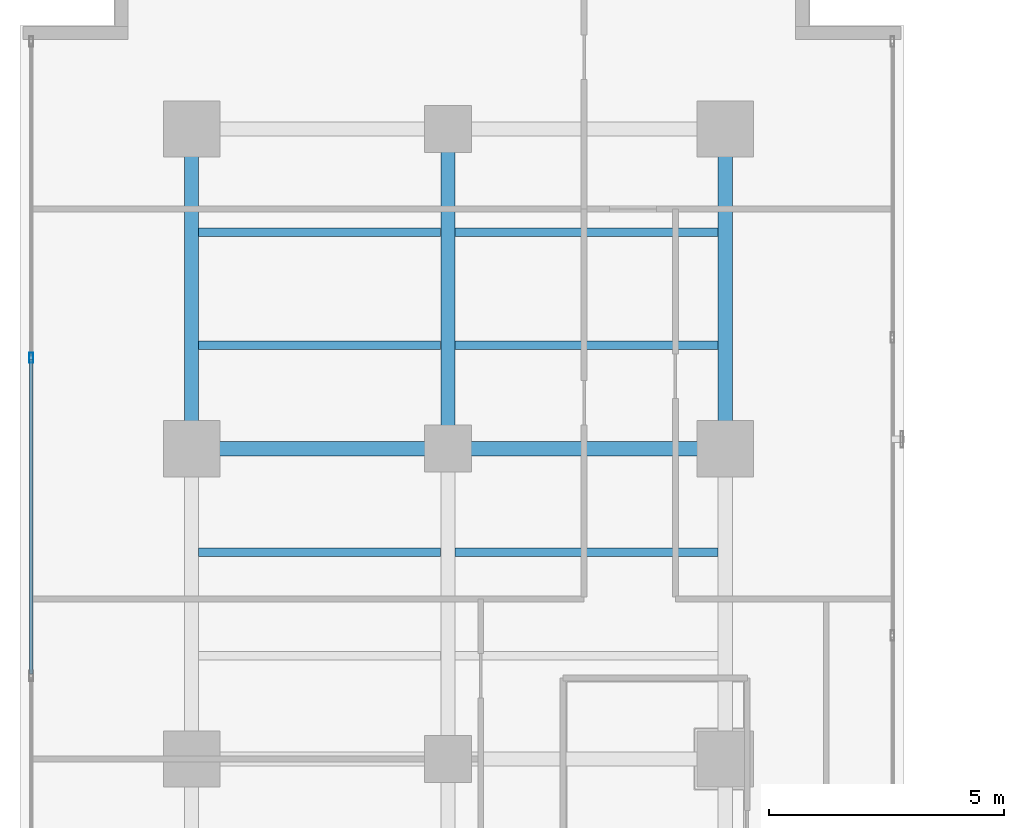
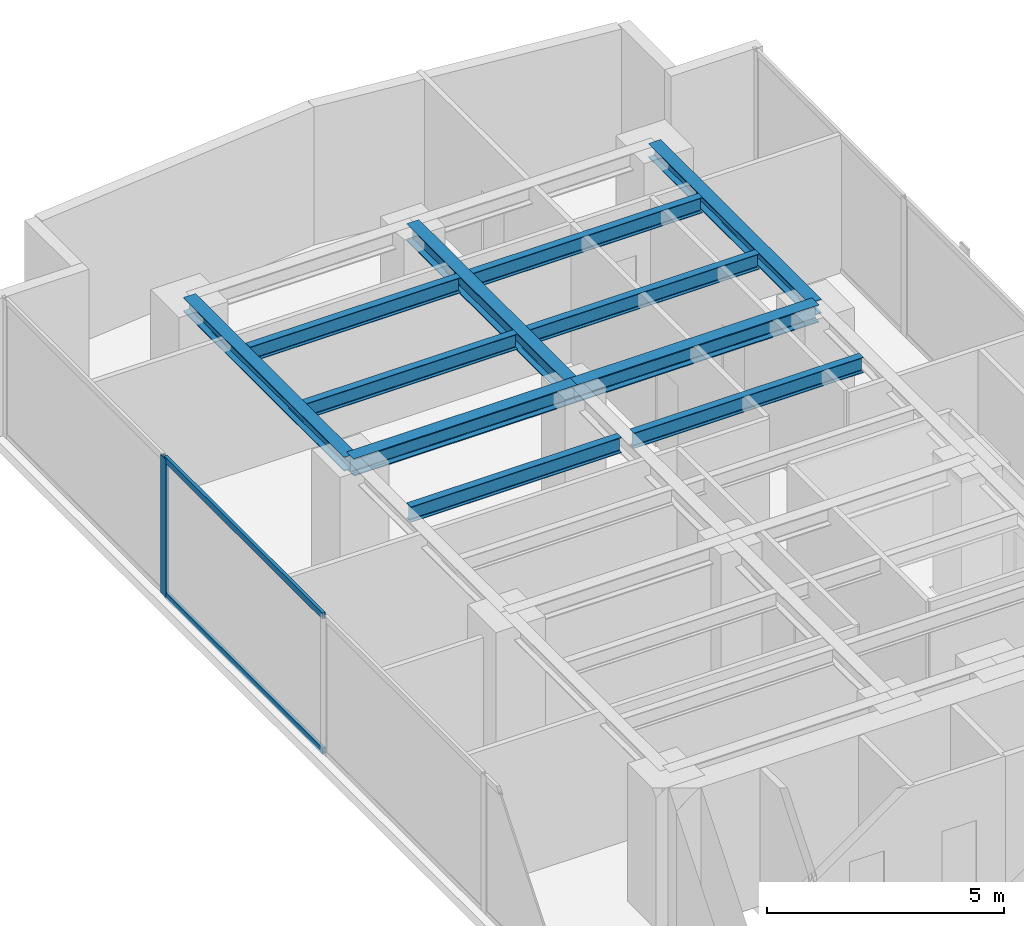
# One storey, part 16 of 27: 11 beams, 3 members, 1 element without a shape of its own.
"""IFC4 building model written with IfcOpenShell, lengths in metres."""

from ifc_helpers import new_model, si_unit, direction, frame, origin, origin_with_axes, origin_2d, place, context, subcontext, project, spatial, hollow_rectangle, i_section, extrude, source, transform, mapped, material, layer, layer_set, material_profile, profile_set, type_object, element, aggregate, save


model = new_model("IFC4")

# Units and contexts
model_context = context("Model", 3, precision=1e-05, world=origin(), true_north=direction((0.0, 1.0)))
body_context = subcontext(model_context, "Body", "Model", "MODEL_VIEW")
ifc_project = project(units=[si_unit("LENGTHUNIT", "METRE"), si_unit("AREAUNIT", "SQUARE_METRE"), si_unit("VOLUMEUNIT", "CUBIC_METRE"), si_unit("PLANEANGLEUNIT", "RADIAN"), si_unit("MASSUNIT", "GRAM", prefix="KILO")], contexts=[model_context])

# Site, building, storey
site_placement = place(None, origin())
site = spatial("IfcSite", under=ifc_project, at=site_placement, CompositionType="ELEMENT")
building_placement = place(site_placement, origin())
building = spatial("IfcBuilding", under=site, at=building_placement, Name="Kolvaren Waterfront Exchange", CompositionType="ELEMENT")
storey_placement = place(building_placement, frame((0.0, 0.0, 161.39990234375)))
storey = spatial("IfcBuildingStorey", under=building, at=storey_placement, Name="L41", CompositionType="ELEMENT", Elevation=161.39990234375)

# Beams
ifc_material_1 = material(Name="Steel S355", Category="steel")
ifc_material_profile_1 = material_profile(ifc_material_1, i_section(OverallWidth=0.300048828125, OverallDepth=0.360107421875, WebThickness=0.012451171875, FlangeThickness=0.0224609375, FilletRadius=0.027099609375, at=origin_2d()), Name="HEB360")
ifc_profile_set_1 = profile_set([ifc_material_profile_1], Name="Steel S355")
beam_type_1 = type_object("IfcBeamType", Name="STR-BM-HEB360", PredefinedType="SPANDREL", material=ifc_profile_set_1)
for number, where, z_axis, x_axis, name in (
    (1, (7.449951171875, 37.800048828125, 3.380126953125), (0.0, 1.0, 0.0), (-1.0, 0.0, 0.0), "L41 north-arm edge beam 3"),
    (2, (18.800048828125, 37.800048828125, 3.380126953125), (0.0, 1.0, 0.0), (-1.0, 0.0, 0.0), "L41 north-arm edge beam 3"),
):
    element("IfcBeam", number, at=place(storey_placement, frame(where, z_axis=z_axis, x_axis=x_axis)), inside=storey, type_object=beam_type_1, Name=name, PredefinedType="SPANDREL", context=body_context, shape_type="SweptSolid", body=[
        extrude(i_section(OverallWidth=0.300048828125, OverallDepth=0.360107421875, WebThickness=0.012451171875, FlangeThickness=0.0224609375, FilletRadius=0.027099609375, at=origin_2d()), origin(), (0.0, 0.0, 1.0), 6.800048828125),
    ])
ifc_material_profile_2 = material_profile(ifc_material_1, i_section(OverallWidth=0.300048828125, OverallDepth=0.449951171875, WebThickness=0.013916015625, FlangeThickness=0.02587890625, FilletRadius=0.027099609375, at=origin_2d()), Name="HEB450")
ifc_profile_set_2 = profile_set([ifc_material_profile_2], Name="Steel S355")
beam_type_2 = type_object("IfcBeamType", Name="STR-BM-HEB450", PredefinedType="BEAM", material=ifc_profile_set_2)
beam_1_placement = place(storey_placement, frame((7.449951171875, 37.800048828125, 3.335205078125), z_axis=(1.0, 0.0, 0.0), x_axis=(0.0, 1.0, 0.0)))
element("IfcBeam", 3, at=beam_1_placement, inside=storey, type_object=beam_type_2, Name="L41 north-arm girder 3A", PredefinedType="BEAM", context=body_context, shape_type="SweptSolid", body=[
    extrude(i_section(OverallWidth=0.300048828125, OverallDepth=0.449951171875, WebThickness=0.013916015625, FlangeThickness=0.02587890625, FilletRadius=0.027099609375, at=origin_2d()), origin(), (0.0, 0.0, 1.0), 5.449951171875),
])
beam_2_placement = place(storey_placement, frame((12.89990234375, 37.800048828125, 3.335205078125), z_axis=(1.0, 0.0, 0.0), x_axis=(0.0, 1.0, 0.0)))
element("IfcBeam", 4, at=beam_2_placement, inside=storey, type_object=beam_type_2, Name="L41 north-arm girder 3B", PredefinedType="BEAM", context=body_context, shape_type="SweptSolid", body=[
    extrude(i_section(OverallWidth=0.300048828125, OverallDepth=0.449951171875, WebThickness=0.013916015625, FlangeThickness=0.02587890625, FilletRadius=0.027099609375, at=origin_2d()), origin(), (0.0, 0.0, 1.0), 5.900146484375),
])
beam_3_placement = place(storey_placement, frame((12.89990234375, 37.800048828125, 3.335205078125), z_axis=(0.0, 1.0, 0.0), x_axis=(-1.0, 0.0, 0.0)))
element("IfcBeam", 5, at=beam_3_placement, inside=storey, type_object=beam_type_2, Name="L41 north-arm edge beam 3", PredefinedType="BEAM", context=body_context, shape_type="SweptSolid", body=[
    extrude(i_section(OverallWidth=0.300048828125, OverallDepth=0.449951171875, WebThickness=0.013916015625, FlangeThickness=0.02587890625, FilletRadius=0.027099609375, at=origin_2d()), origin(), (0.0, 0.0, 1.0), 6.800048828125),
])
ifc_material_profile_3 = material_profile(ifc_material_1, i_section(OverallWidth=0.179931640625, OverallDepth=0.39990234375, WebThickness=0.008544921875, FlangeThickness=0.013427734375, FilletRadius=0.02099609375, at=origin_2d()), Name="IPE400")
ifc_profile_set_3 = profile_set([ifc_material_profile_3], Name="Steel S355")
beam_type_3 = type_object("IfcBeamType", Name="STR-BM-IPE400", PredefinedType="JOIST", material=ifc_profile_set_3)
beam_4_placement = place(storey_placement, frame((7.60205078125, 35.60009765625, 3.360107421875), z_axis=(1.0, 0.0, 0.0), x_axis=(0.0, 1.0, 0.0)))
element("IfcBeam", 6, at=beam_4_placement, inside=storey, type_object=beam_type_3, Name="L41 north-arm composite joist 4A", PredefinedType="JOIST", context=body_context, shape_type="SweptSolid", body=[
    extrude(i_section(OverallWidth=0.179931640625, OverallDepth=0.39990234375, WebThickness=0.008544921875, FlangeThickness=0.013427734375, FilletRadius=0.02099609375, at=origin_2d()), origin(), (0.0, 0.0, 1.0), 5.14599609375),
])
beam_5_placement = place(storey_placement, frame((13.052001953125, 35.60009765625, 3.360107421875), z_axis=(1.0, 0.0, 0.0), x_axis=(0.0, 1.0, 0.0)))
element("IfcBeam", 7, at=beam_5_placement, inside=storey, type_object=beam_type_3, Name="L41 north-arm composite joist 4B", PredefinedType="JOIST", context=body_context, shape_type="SweptSolid", body=[
    extrude(i_section(OverallWidth=0.179931640625, OverallDepth=0.39990234375, WebThickness=0.008544921875, FlangeThickness=0.013427734375, FilletRadius=0.02099609375, at=origin_2d()), origin(), (0.0, 0.0, 1.0), 5.595947265625),
])
beam_6_placement = place(storey_placement, frame((7.60205078125, 40.0, 3.360107421875), z_axis=(1.0, 0.0, 0.0), x_axis=(0.0, 1.0, 0.0)))
element("IfcBeam", 8, at=beam_6_placement, inside=storey, type_object=beam_type_3, Name="L41 north-arm composite joist 5A", PredefinedType="JOIST", context=body_context, shape_type="SweptSolid", body=[
    extrude(i_section(OverallWidth=0.179931640625, OverallDepth=0.39990234375, WebThickness=0.008544921875, FlangeThickness=0.013427734375, FilletRadius=0.02099609375, at=origin_2d()), origin(), (0.0, 0.0, 1.0), 5.14599609375),
])
beam_7_placement = place(storey_placement, frame((13.052001953125, 40.0, 3.360107421875), z_axis=(1.0, 0.0, 0.0), x_axis=(0.0, 1.0, 0.0)))
element("IfcBeam", 9, at=beam_7_placement, inside=storey, type_object=beam_type_3, Name="L41 north-arm composite joist 5B", PredefinedType="JOIST", context=body_context, shape_type="SweptSolid", body=[
    extrude(i_section(OverallWidth=0.179931640625, OverallDepth=0.39990234375, WebThickness=0.008544921875, FlangeThickness=0.013427734375, FilletRadius=0.02099609375, at=origin_2d()), origin(), (0.0, 0.0, 1.0), 5.595947265625),
])
beam_8_placement = place(storey_placement, frame((7.60205078125, 42.39990234375, 3.360107421875), z_axis=(1.0, 0.0, 0.0), x_axis=(0.0, 1.0, 0.0)))
element("IfcBeam", 10, at=beam_8_placement, inside=storey, type_object=beam_type_3, Name="L41 north-arm composite joist 6A", PredefinedType="JOIST", context=body_context, shape_type="SweptSolid", body=[
    extrude(i_section(OverallWidth=0.179931640625, OverallDepth=0.39990234375, WebThickness=0.008544921875, FlangeThickness=0.013427734375, FilletRadius=0.02099609375, at=origin_2d()), origin(), (0.0, 0.0, 1.0), 5.14599609375),
])
beam_9_placement = place(storey_placement, frame((13.052001953125, 42.39990234375, 3.360107421875), z_axis=(1.0, 0.0, 0.0), x_axis=(0.0, 1.0, 0.0)))
element("IfcBeam", 11, at=beam_9_placement, inside=storey, type_object=beam_type_3, Name="L41 north-arm composite joist 6B", PredefinedType="JOIST", context=body_context, shape_type="SweptSolid", body=[
    extrude(i_section(OverallWidth=0.179931640625, OverallDepth=0.39990234375, WebThickness=0.008544921875, FlangeThickness=0.013427734375, FilletRadius=0.02099609375, at=origin_2d()), origin(), (0.0, 0.0, 1.0), 5.595947265625),
])

# Curtain wall, members
ifc_material_2 = material(Name="Anodised aluminium 6063-T6", Category="aluminium")
ifc_layer = layer(ifc_material_2, 0.219970703125, Name="Anodised aluminium 6063-T6")
ifc_layer_set = layer_set([ifc_layer], Name="Anodised aluminium 6063-T6")
curtain_wall_type = type_object("IfcCurtainWallType", Name="ARC-CW-SYS2", PredefinedType="USERDEFINED", material=ifc_layer_set)
curtain_wall_placement = place(storey_placement, origin())
curtain_wall = element("IfcCurtainWall", 12, at=curtain_wall_placement, inside=storey, type_object=curtain_wall_type, Name="L41 stick curtain wall CW2 (CW-L41-W)", ObjectType="STICK CURTAIN WALL", PredefinedType="USERDEFINED")
ifc_material_profile_4 = material_profile(ifc_material_2, hollow_rectangle(XDim=0.080078125, YDim=0.219970703125, WallThickness=0.0048828125, at=origin_2d()), Name="ALU-MUL-220x80x5")
ifc_profile_set_4 = profile_set([ifc_material_profile_4], Name="Anodised aluminium 6063-T6")
member_type_1 = type_object("IfcMemberType", Name="ARC-CWM-220", PredefinedType="MULLION", material=ifc_profile_set_4)
shared_shape_1 = source(origin_with_axes(), body_context, "Body", "SweptSolid", [
    extrude(hollow_rectangle(XDim=0.080078125, YDim=0.219970703125, WallThickness=0.0048828125, at=origin_2d()), origin(), (0.0, 0.0, 1.0), 3.56005859375),
])
member_1_placement = place(storey_placement, frame((4.0400390625, 39.7333984375, 0.0), z_axis=(0.0, 0.0, 1.0), x_axis=(-1.0, 0.0, 0.0)))
member_1 = element("IfcMember", 13, at=member_1_placement, type_object=member_type_1, Name="CW2 mullion 6", PredefinedType="MULLION", context=body_context, shape_type="MappedRepresentation", body=[
    mapped(shared_shape_1, transform((0.0, 0.0, 0.0), x_axis=(1.0, 0.0, 0.0), y_axis=(0.0, 1.0, 0.0), z_axis=(0.0, 0.0, 1.0), scale=1.0)),
])
ifc_material_profile_5 = material_profile(ifc_material_2, hollow_rectangle(XDim=0.074951171875, YDim=0.159912109375, WallThickness=0.00439453125, at=origin_2d()), Name="ALU-TRN-160x75x4.5")
ifc_profile_set_5 = profile_set([ifc_material_profile_5], Name="Anodised aluminium 6063-T6")
member_type_2 = type_object("IfcMemberType", Name="ARC-CWT-160", PredefinedType="USERDEFINED", material=ifc_profile_set_5)
shared_shape_2 = source(origin_with_axes(), body_context, "Body", "SweptSolid", [
    extrude(hollow_rectangle(XDim=0.074951171875, YDim=0.159912109375, WallThickness=0.00439453125, at=origin_2d()), origin(), (0.0, 0.0, 1.0), 6.686767578125),
])
member_2_placement = place(storey_placement, frame((4.0400390625, 33.006591796875, 0.03759765625), z_axis=(0.0, 1.0, 0.0), x_axis=(-1.0, 0.0, 0.0)))
member_2 = element("IfcMember", 14, at=member_2_placement, type_object=member_type_2, Name="CW2 transom 5.1", ObjectType="TRANSOM", PredefinedType="USERDEFINED", context=body_context, shape_type="MappedRepresentation", body=[
    mapped(shared_shape_2, transform((0.0, 0.0, 0.0), x_axis=(1.0, 0.0, 0.0), y_axis=(0.0, 1.0, 0.0), z_axis=(0.0, 0.0, 1.0), scale=1.0)),
])
member_3_placement = place(storey_placement, frame((4.0400390625, 33.006591796875, 3.522705078125), z_axis=(0.0, 1.0, 0.0), x_axis=(-1.0, 0.0, 0.0)))
member_3 = element("IfcMember", 15, at=member_3_placement, type_object=member_type_2, Name="CW2 transom 5.2", ObjectType="TRANSOM", PredefinedType="USERDEFINED", context=body_context, shape_type="MappedRepresentation", body=[
    mapped(shared_shape_2, transform((0.0, 0.0, 0.0), x_axis=(1.0, 0.0, 0.0), y_axis=(0.0, 1.0, 0.0), z_axis=(0.0, 0.0, 1.0), scale=1.0)),
])
aggregate(curtain_wall, [member_1, member_2, member_3])

save(model, "model.ifc")
